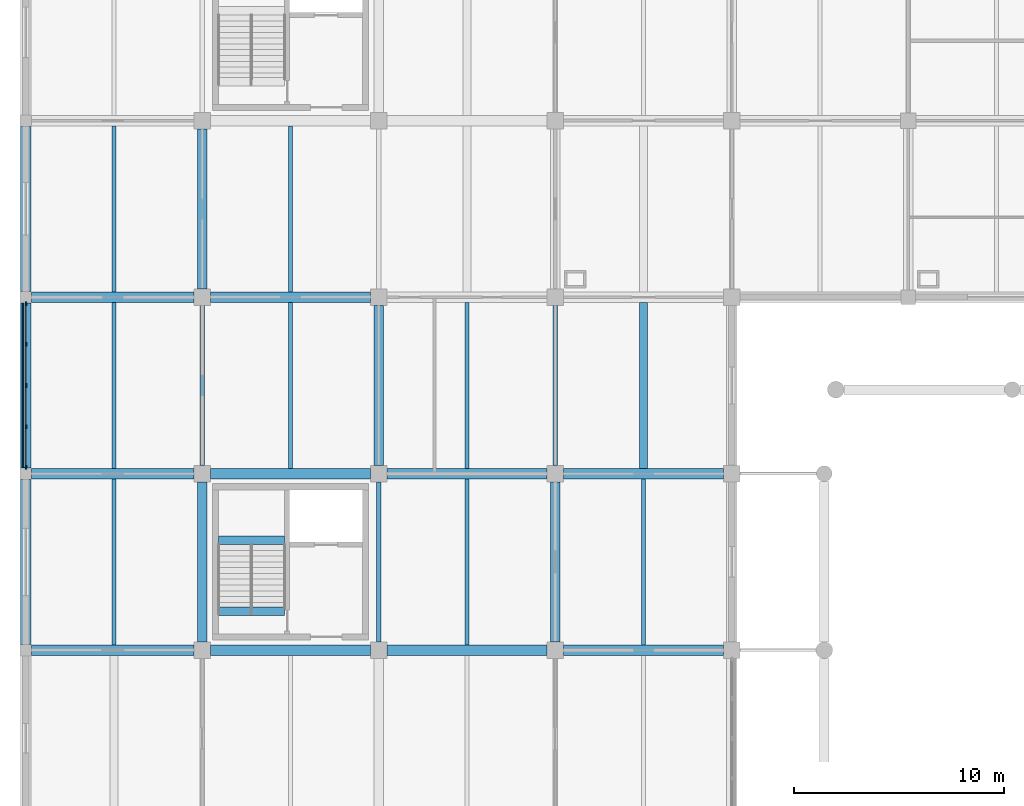
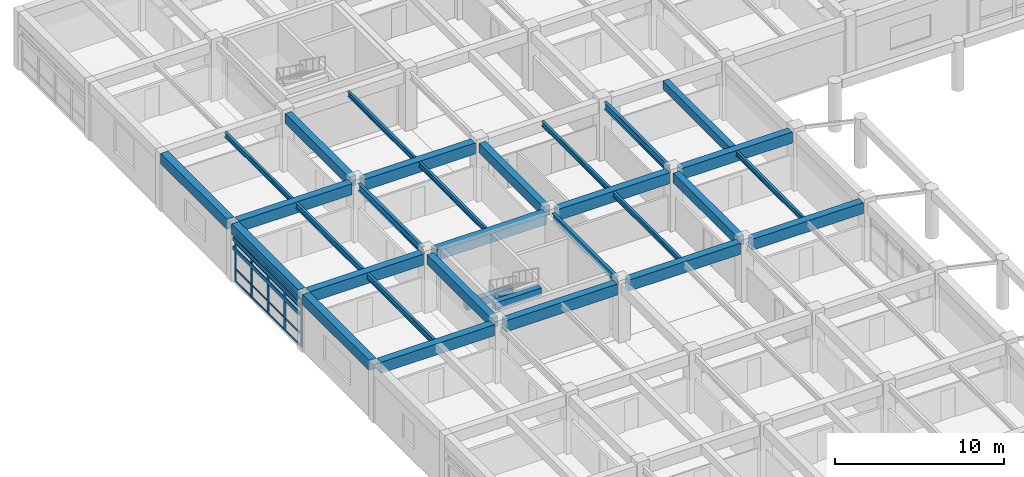
# One storey, part 6 of 99: 31 beams, 23 members, 1 element without a shape of its own.
"""IFC4 building model written with IfcOpenShell, lengths in metres."""

from ifc_helpers import new_model, si_unit, direction, frame, origin, origin_2d, place, context, subcontext, project, spatial, rectangle, i_section, extrude, material, layer, layer_set, material_profile, profile_set, type_object, element, aggregate, save


model = new_model("IFC4")

# Units and contexts
model_context = context("Model", 3, precision=1e-05, world=origin(), true_north=direction((0.0, 1.0)))
body_context = subcontext(model_context, "Body", "Model", "MODEL_VIEW")
ifc_project = project(units=[si_unit("LENGTHUNIT", "METRE"), si_unit("AREAUNIT", "SQUARE_METRE"), si_unit("VOLUMEUNIT", "CUBIC_METRE"), si_unit("PLANEANGLEUNIT", "RADIAN"), si_unit("MASSUNIT", "GRAM", prefix="KILO")], contexts=[model_context])

# Site, building, storey
site_placement = place(None, origin())
site = spatial("IfcSite", under=ifc_project, at=site_placement, CompositionType="ELEMENT")
building_placement = place(site_placement, origin())
building = spatial("IfcBuilding", under=site, at=building_placement, Name="Porcellanite Civic Hall", CompositionType="ELEMENT")
storey_placement = place(building_placement, frame((0.0, 0.0, 5.760009765625)))
storey = spatial("IfcBuildingStorey", under=building, at=storey_placement, Name="L01", CompositionType="ELEMENT", Elevation=5.760009765625)

# Beams
ifc_material_1 = material(Name="Concrete N50 (50 MPa)", Category="concrete")
ifc_material_profile_1 = material_profile(ifc_material_1, rectangle(XDim=0.39990234375, YDim=0.550048828125, at=origin_2d()), Name="RC-400x550")
ifc_profile_set_1 = profile_set([ifc_material_profile_1], Name="Concrete N50 (50 MPa)")
beam_type_1 = type_object("IfcBeamType", Name="BM-RC550", PredefinedType="JOIST", material=ifc_profile_set_1)
for number, where, z_axis, x_axis, name in (
    (1, (9.180419921875, 38.824951171875, 1.885009765625), (1.0, 0.0, 0.0), (0.0, 1.0, 0.0), "Stair landing beam C1 L01"),
    (2, (9.180419921875, 35.449951171875, 3.925048828125), (1.0, 0.0, 0.0), (0.0, 1.0, 0.0), "Stair header beam C1 L01"),
):
    element("IfcBeam", number, at=place(storey_placement, frame(where, z_axis=z_axis, x_axis=x_axis)), inside=storey, type_object=beam_type_1, Name=name, PredefinedType="JOIST", context=body_context, shape_type="SweptSolid", body=[
        extrude(rectangle(XDim=0.39990234375, YDim=0.550048828125, at=origin_2d()), origin(), (0.0, 0.0, 1.0), 3.13916015625),
    ])
ifc_material_2 = material(Name="Concrete N50 (50 MPa)", Category="concrete")
ifc_material_profile_2 = material_profile(ifc_material_2, rectangle(XDim=0.39990234375, YDim=0.60009765625, at=origin_2d()), Name="RC-400x600")
ifc_profile_set_2 = profile_set([ifc_material_profile_2], Name="Concrete N50 (50 MPa)")
beam_type_2 = type_object("IfcBeamType", Name="BM-RC600", PredefinedType="JOIST", material=ifc_profile_set_2)
beam_1_placement = place(storey_placement, frame((29.39990234375, 42.24951171875, 3.89990234375), z_axis=(0.0, 1.0, 0.0), x_axis=(-1.0, 0.0, 0.0)))
element("IfcBeam", 3, at=beam_1_placement, inside=storey, type_object=beam_type_2, Name="Secondary joist L01 4-6", PredefinedType="JOIST", context=body_context, shape_type="SweptSolid", body=[
    extrude(rectangle(XDim=0.39990234375, YDim=0.60009765625, at=origin_2d()), origin(), (0.0, 0.0, 1.0), 7.90087890625),
])
ifc_material_3 = material(Name="Concrete N50 (50 MPa)", Category="concrete")
ifc_material_profile_3 = material_profile(ifc_material_3, rectangle(XDim=0.449951171875, YDim=0.699951171875, at=origin_2d()), Name="RC-450x700")
ifc_profile_set_3 = profile_set([ifc_material_profile_3], Name="Concrete N50 (50 MPa)")
beam_type_3 = type_object("IfcBeamType", Name="BM-RC700", PredefinedType="BEAM", material=ifc_profile_set_3)
beam_2_placement = place(storey_placement, frame((8.39990234375, 33.99951171875, 3.85009765625), z_axis=(0.0, 1.0, 0.0), x_axis=(-1.0, 0.0, 0.0)))
element("IfcBeam", 4, at=beam_2_placement, inside=storey, type_object=beam_type_3, Name="Beam Y L01 2-5", PredefinedType="BEAM", context=body_context, shape_type="SweptSolid", body=[
    extrude(rectangle(XDim=0.449951171875, YDim=0.699951171875, at=origin_2d()), origin(), (0.0, 0.0, 1.0), 7.60107421875),
])
beam_3_placement = place(storey_placement, frame((8.39990234375, 50.799560546875, 3.85009765625), z_axis=(0.0, 1.0, 0.0), x_axis=(-1.0, 0.0, 0.0)))
element("IfcBeam", 5, at=beam_3_placement, inside=storey, type_object=beam_type_3, Name="Beam Y L01 2-7", PredefinedType="BEAM", context=body_context, shape_type="SweptSolid", body=[
    extrude(rectangle(XDim=0.449951171875, YDim=0.699951171875, at=origin_2d()), origin(), (0.0, 0.0, 1.0), 7.600830078125),
])
for number, where, z_axis, x_axis, name in (
    (6, (16.800048828125, 42.3994140625, 3.85009765625), (0.0, 1.0, 0.0), (-1.0, 0.0, 0.0), "Beam Y L01 3-6"),
    (7, (25.199951171875, 33.99951171875, 3.85009765625), (0.0, 1.0, 0.0), (-1.0, 0.0, 0.0), "Beam Y L01 4-5"),
):
    element("IfcBeam", number, at=place(storey_placement, frame(where, z_axis=z_axis, x_axis=x_axis)), inside=storey, type_object=beam_type_3, Name=name, PredefinedType="BEAM", context=body_context, shape_type="SweptSolid", body=[
        extrude(rectangle(XDim=0.449951171875, YDim=0.699951171875, at=origin_2d()), origin(), (0.0, 0.0, 1.0), 7.60107421875),
    ])
ifc_material_4 = material(Name="Concrete N50 (50 MPa)", Category="concrete")
ifc_material_profile_4 = material_profile(ifc_material_4, rectangle(XDim=0.5, YDim=0.75, at=origin_2d()), Name="RC-500x750")
ifc_profile_set_4 = profile_set([ifc_material_profile_4], Name="Concrete N50 (50 MPa)")
beam_type_4 = type_object("IfcBeamType", Name="BM-RC750", PredefinedType="SPANDREL", material=ifc_profile_set_4)
for number, where, z_axis, x_axis, name in (
    (8, (0.0, 33.87451171875, 3.824951171875), (0.0, 1.0, 0.0), (-1.0, 0.0, 0.0), "Beam Y L01 1-5"),
    (9, (0.0, 42.2744140625, 3.824951171875), (0.0, 1.0, 0.0), (-1.0, 0.0, 0.0), "Beam Y L01 1-6"),
):
    element("IfcBeam", number, at=place(storey_placement, frame(where, z_axis=z_axis, x_axis=x_axis)), inside=storey, type_object=beam_type_4, Name=name, PredefinedType="SPANDREL", context=body_context, shape_type="SweptSolid", body=[
        extrude(rectangle(XDim=0.5, YDim=0.75, at=origin_2d()), origin(), (0.0, 0.0, 1.0), 7.85107421875),
    ])
beam_4_placement = place(storey_placement, frame((0.0, 50.674560546875, 3.824951171875), z_axis=(0.0, 1.0, 0.0), x_axis=(-1.0, 0.0, 0.0)))
element("IfcBeam", 10, at=beam_4_placement, inside=storey, type_object=beam_type_4, Name="Beam Y L01 1-7", PredefinedType="SPANDREL", context=body_context, shape_type="SweptSolid", body=[
    extrude(rectangle(XDim=0.5, YDim=0.75, at=origin_2d()), origin(), (0.0, 0.0, 1.0), 7.850830078125),
])
ifc_material_5 = material(Name="Concrete N50 (50 MPa)", Category="concrete")
ifc_material_profile_5 = material_profile(ifc_material_5, rectangle(XDim=0.5, YDim=0.800048828125, at=origin_2d()), Name="RC-500x800")
ifc_profile_set_5 = profile_set([ifc_material_profile_5], Name="Concrete N50 (50 MPa)")
beam_type_5 = type_object("IfcBeamType", Name="BM-RC800", PredefinedType="BEAM", material=ifc_profile_set_5)
for number, where, z_axis, x_axis, name in (
    (11, (0.2744140625, 33.60009765625, 3.800048828125), (1.0, 0.0, 0.0), (0.0, 1.0, 0.0), "Beam X L01 1-5"),
    (12, (0.2744140625, 42.0, 3.800048828125), (1.0, 0.0, 0.0), (0.0, 1.0, 0.0), "Beam X L01 1-6"),
    (13, (0.2744140625, 50.39990234375, 3.800048828125), (1.0, 0.0, 0.0), (0.0, 1.0, 0.0), "Beam X L01 1-7"),
):
    element("IfcBeam", number, at=place(storey_placement, frame(where, z_axis=z_axis, x_axis=x_axis)), inside=storey, type_object=beam_type_5, Name=name, PredefinedType="BEAM", context=body_context, shape_type="SweptSolid", body=[
        extrude(rectangle(XDim=0.5, YDim=0.800048828125, at=origin_2d()), origin(), (0.0, 0.0, 1.0), 7.72607421875),
    ])
for number, where, z_axis, x_axis, name in (
    (14, (8.799560546875, 33.60009765625, 3.800048828125), (1.0, 0.0, 0.0), (0.0, 1.0, 0.0), "Beam X L01 2-5"),
    (15, (8.799560546875, 42.0, 3.800048828125), (1.0, 0.0, 0.0), (0.0, 1.0, 0.0), "Beam X L01 2-6"),
    (16, (8.799560546875, 50.39990234375, 3.800048828125), (1.0, 0.0, 0.0), (0.0, 1.0, 0.0), "Beam X L01 2-7"),
):
    element("IfcBeam", number, at=place(storey_placement, frame(where, z_axis=z_axis, x_axis=x_axis)), inside=storey, type_object=beam_type_5, Name=name, PredefinedType="BEAM", context=body_context, shape_type="SweptSolid", body=[
        extrude(rectangle(XDim=0.5, YDim=0.800048828125, at=origin_2d()), origin(), (0.0, 0.0, 1.0), 7.600830078125),
    ])
for number, where, z_axis, x_axis, name in (
    (17, (17.199462890625, 33.60009765625, 3.800048828125), (1.0, 0.0, 0.0), (0.0, 1.0, 0.0), "Beam X L01 3-5"),
    (18, (17.199462890625, 42.0, 3.800048828125), (1.0, 0.0, 0.0), (0.0, 1.0, 0.0), "Beam X L01 3-6"),
):
    element("IfcBeam", number, at=place(storey_placement, frame(where, z_axis=z_axis, x_axis=x_axis)), inside=storey, type_object=beam_type_5, Name=name, PredefinedType="BEAM", context=body_context, shape_type="SweptSolid", body=[
        extrude(rectangle(XDim=0.5, YDim=0.800048828125, at=origin_2d()), origin(), (0.0, 0.0, 1.0), 7.60107421875),
    ])
for number, where, z_axis, x_axis, name in (
    (19, (25.599609375, 33.60009765625, 3.800048828125), (1.0, 0.0, 0.0), (0.0, 1.0, 0.0), "Beam X L01 4-5"),
    (20, (25.599609375, 42.0, 3.800048828125), (1.0, 0.0, 0.0), (0.0, 1.0, 0.0), "Beam X L01 4-6"),
):
    element("IfcBeam", number, at=place(storey_placement, frame(where, z_axis=z_axis, x_axis=x_axis)), inside=storey, type_object=beam_type_5, Name=name, PredefinedType="BEAM", context=body_context, shape_type="SweptSolid", body=[
        extrude(rectangle(XDim=0.5, YDim=0.800048828125, at=origin_2d()), origin(), (0.0, 0.0, 1.0), 7.600830078125),
    ])

# Curtain wall, members
ifc_material_6 = material(Name="Anodised aluminium and solar laminated glass", Category="aluminium")
ifc_layer = layer(ifc_material_6, 0.179931640625)
ifc_layer_set = layer_set([ifc_layer], Name="Anodised aluminium and solar laminated glass")
curtain_wall_type = type_object("IfcCurtainWallType", Name="CW-SYS05", PredefinedType="NOTDEFINED", material=ifc_layer_set)
curtain_wall_placement = place(storey_placement, origin())
curtain_wall = element("IfcCurtainWall", 21, at=curtain_wall_placement, inside=storey, type_object=curtain_wall_type, Name="Curtain wall CW-062", PredefinedType="NOTDEFINED")
ifc_material_7 = material(Name="Anodised aluminium 6063-T6", Category="aluminium")
ifc_material_profile_6 = material_profile(ifc_material_7, rectangle(XDim=0.070068359375, YDim=0.199951171875, at=origin_2d()), Name="AL-70x200")
ifc_profile_set_6 = profile_set([ifc_material_profile_6], Name="Anodised aluminium 6063-T6")
member_type_1 = type_object("IfcMemberType", Name="CWM-05", PredefinedType="MULLION", material=ifc_profile_set_6)
member_1_placement = place(storey_placement, frame((0.0, 42.31103515625, 0.0), z_axis=(0.0, 0.0, 1.0), x_axis=(-1.0, 0.0, 0.0)))
member_1 = element("IfcMember", 22, at=member_1_placement, type_object=member_type_1, Name="CW-062 mullion 1", PredefinedType="MULLION", context=body_context, shape_type="SweptSolid", body=[
    extrude(rectangle(XDim=0.070068359375, YDim=0.199951171875, at=origin_2d()), origin(), (0.0, 0.0, 1.0), 3.39990234375),
])
member_2_placement = place(storey_placement, frame((0.0, 44.238037109375, 0.0), z_axis=(0.0, 0.0, 1.0), x_axis=(-1.0, 0.0, 0.0)))
member_2 = element("IfcMember", 23, at=member_2_placement, type_object=member_type_1, Name="CW-062 mullion 2", PredefinedType="MULLION", context=body_context, shape_type="SweptSolid", body=[
    extrude(rectangle(XDim=0.070068359375, YDim=0.199951171875, at=origin_2d()), origin(), (0.0, 0.0, 1.0), 3.39990234375),
])
member_3_placement = place(storey_placement, frame((0.0, 46.199951171875, 0.0), z_axis=(0.0, 0.0, 1.0), x_axis=(-1.0, 0.0, 0.0)))
member_3 = element("IfcMember", 24, at=member_3_placement, type_object=member_type_1, Name="CW-062 mullion 3", PredefinedType="MULLION", context=body_context, shape_type="SweptSolid", body=[
    extrude(rectangle(XDim=0.070068359375, YDim=0.199951171875, at=origin_2d()), origin(), (0.0, 0.0, 1.0), 3.39990234375),
])
member_4_placement = place(storey_placement, frame((0.0, 48.162109375, 0.0), z_axis=(0.0, 0.0, 1.0), x_axis=(-1.0, 0.0, 0.0)))
member_4 = element("IfcMember", 25, at=member_4_placement, type_object=member_type_1, Name="CW-062 mullion 4", PredefinedType="MULLION", context=body_context, shape_type="SweptSolid", body=[
    extrude(rectangle(XDim=0.070068359375, YDim=0.199951171875, at=origin_2d()), origin(), (0.0, 0.0, 1.0), 3.39990234375),
])
member_5_placement = place(storey_placement, frame((0.0, 50.089111328125, 0.0), z_axis=(0.0, 0.0, 1.0), x_axis=(-1.0, 0.0, 0.0)))
member_5 = element("IfcMember", 26, at=member_5_placement, type_object=member_type_1, Name="CW-062 mullion 5", PredefinedType="MULLION", context=body_context, shape_type="SweptSolid", body=[
    extrude(rectangle(XDim=0.070068359375, YDim=0.199951171875, at=origin_2d()), origin(), (0.0, 0.0, 1.0), 3.39990234375),
])
ifc_material_8 = material(Name="Anodised aluminium 6063-T6", Category="aluminium")
ifc_material_profile_7 = material_profile(ifc_material_8, rectangle(XDim=0.06005859375, YDim=0.1298828125, at=origin_2d()), Name="AL-60x130")
ifc_profile_set_7 = profile_set([ifc_material_profile_7], Name="Anodised aluminium 6063-T6")
member_type_2 = type_object("IfcMemberType", Name="CWT-03", PredefinedType="USERDEFINED", material=ifc_profile_set_7)
member_6_placement = place(storey_placement, frame((0.0, 42.345947265625, 0.030029296875), z_axis=(0.0, 1.0, 0.0), x_axis=(-1.0, 0.0, 0.0)))
member_6 = element("IfcMember", 27, at=member_6_placement, type_object=member_type_2, Name="CW-062 transom 1.1", ObjectType="TRANSOM", PredefinedType="USERDEFINED", context=body_context, shape_type="SweptSolid", body=[
    extrude(rectangle(XDim=0.06005859375, YDim=0.1298828125, at=origin_2d()), origin(), (0.0, 0.0, 1.0), 1.85693359375),
])
member_7_placement = place(storey_placement, frame((0.0, 42.345947265625, 0.89990234375), z_axis=(0.0, 1.0, 0.0), x_axis=(-1.0, 0.0, 0.0)))
member_7 = element("IfcMember", 28, at=member_7_placement, type_object=member_type_2, Name="CW-062 transom 1.2", ObjectType="TRANSOM", PredefinedType="USERDEFINED", context=body_context, shape_type="SweptSolid", body=[
    extrude(rectangle(XDim=0.06005859375, YDim=0.1298828125, at=origin_2d()), origin(), (0.0, 0.0, 1.0), 1.85693359375),
])
member_8_placement = place(storey_placement, frame((0.0, 42.345947265625, 2.75), z_axis=(0.0, 1.0, 0.0), x_axis=(-1.0, 0.0, 0.0)))
member_8 = element("IfcMember", 29, at=member_8_placement, type_object=member_type_2, Name="CW-062 transom 1.3", ObjectType="TRANSOM", PredefinedType="USERDEFINED", context=body_context, shape_type="SweptSolid", body=[
    extrude(rectangle(XDim=0.06005859375, YDim=0.1298828125, at=origin_2d()), origin(), (0.0, 0.0, 1.0), 1.85693359375),
])
member_9_placement = place(storey_placement, frame((0.0, 42.345947265625, 3.369873046875), z_axis=(0.0, 1.0, 0.0), x_axis=(-1.0, 0.0, 0.0)))
member_9 = element("IfcMember", 30, at=member_9_placement, type_object=member_type_2, Name="CW-062 transom 1.4", ObjectType="TRANSOM", PredefinedType="USERDEFINED", context=body_context, shape_type="SweptSolid", body=[
    extrude(rectangle(XDim=0.06005859375, YDim=0.1298828125, at=origin_2d()), origin(), (0.0, 0.0, 1.0), 1.85693359375),
])
member_10_placement = place(storey_placement, frame((0.0, 44.27294921875, 0.030029296875), z_axis=(0.0, 1.0, 0.0), x_axis=(-1.0, 0.0, 0.0)))
member_10 = element("IfcMember", 31, at=member_10_placement, type_object=member_type_2, Name="CW-062 transom 2.1", ObjectType="TRANSOM", PredefinedType="USERDEFINED", context=body_context, shape_type="SweptSolid", body=[
    extrude(rectangle(XDim=0.06005859375, YDim=0.1298828125, at=origin_2d()), origin(), (0.0, 0.0, 1.0), 1.89208984375),
])
member_11_placement = place(storey_placement, frame((0.0, 44.27294921875, 0.89990234375), z_axis=(0.0, 1.0, 0.0), x_axis=(-1.0, 0.0, 0.0)))
member_11 = element("IfcMember", 32, at=member_11_placement, type_object=member_type_2, Name="CW-062 transom 2.2", ObjectType="TRANSOM", PredefinedType="USERDEFINED", context=body_context, shape_type="SweptSolid", body=[
    extrude(rectangle(XDim=0.06005859375, YDim=0.1298828125, at=origin_2d()), origin(), (0.0, 0.0, 1.0), 1.89208984375),
])
member_12_placement = place(storey_placement, frame((0.0, 44.27294921875, 2.75), z_axis=(0.0, 1.0, 0.0), x_axis=(-1.0, 0.0, 0.0)))
member_12 = element("IfcMember", 33, at=member_12_placement, type_object=member_type_2, Name="CW-062 transom 2.3", ObjectType="TRANSOM", PredefinedType="USERDEFINED", context=body_context, shape_type="SweptSolid", body=[
    extrude(rectangle(XDim=0.06005859375, YDim=0.1298828125, at=origin_2d()), origin(), (0.0, 0.0, 1.0), 1.89208984375),
])
member_13_placement = place(storey_placement, frame((0.0, 44.27294921875, 3.369873046875), z_axis=(0.0, 1.0, 0.0), x_axis=(-1.0, 0.0, 0.0)))
member_13 = element("IfcMember", 34, at=member_13_placement, type_object=member_type_2, Name="CW-062 transom 2.4", ObjectType="TRANSOM", PredefinedType="USERDEFINED", context=body_context, shape_type="SweptSolid", body=[
    extrude(rectangle(XDim=0.06005859375, YDim=0.1298828125, at=origin_2d()), origin(), (0.0, 0.0, 1.0), 1.89208984375),
])
member_14_placement = place(storey_placement, frame((0.0, 46.235107421875, 0.030029296875), z_axis=(0.0, 1.0, 0.0), x_axis=(-1.0, 0.0, 0.0)))
member_14 = element("IfcMember", 35, at=member_14_placement, type_object=member_type_2, Name="CW-062 transom 3.1", ObjectType="TRANSOM", PredefinedType="USERDEFINED", context=body_context, shape_type="SweptSolid", body=[
    extrude(rectangle(XDim=0.06005859375, YDim=0.1298828125, at=origin_2d()), origin(), (0.0, 0.0, 1.0), 1.891845703125),
])
member_15_placement = place(storey_placement, frame((0.0, 46.235107421875, 0.89990234375), z_axis=(0.0, 1.0, 0.0), x_axis=(-1.0, 0.0, 0.0)))
member_15 = element("IfcMember", 36, at=member_15_placement, type_object=member_type_2, Name="CW-062 transom 3.2", ObjectType="TRANSOM", PredefinedType="USERDEFINED", context=body_context, shape_type="SweptSolid", body=[
    extrude(rectangle(XDim=0.06005859375, YDim=0.1298828125, at=origin_2d()), origin(), (0.0, 0.0, 1.0), 1.891845703125),
])
member_16_placement = place(storey_placement, frame((0.0, 46.235107421875, 2.75), z_axis=(0.0, 1.0, 0.0), x_axis=(-1.0, 0.0, 0.0)))
member_16 = element("IfcMember", 37, at=member_16_placement, type_object=member_type_2, Name="CW-062 transom 3.3", ObjectType="TRANSOM", PredefinedType="USERDEFINED", context=body_context, shape_type="SweptSolid", body=[
    extrude(rectangle(XDim=0.06005859375, YDim=0.1298828125, at=origin_2d()), origin(), (0.0, 0.0, 1.0), 1.891845703125),
])
member_17_placement = place(storey_placement, frame((0.0, 46.235107421875, 3.369873046875), z_axis=(0.0, 1.0, 0.0), x_axis=(-1.0, 0.0, 0.0)))
member_17 = element("IfcMember", 38, at=member_17_placement, type_object=member_type_2, Name="CW-062 transom 3.4", ObjectType="TRANSOM", PredefinedType="USERDEFINED", context=body_context, shape_type="SweptSolid", body=[
    extrude(rectangle(XDim=0.06005859375, YDim=0.1298828125, at=origin_2d()), origin(), (0.0, 0.0, 1.0), 1.891845703125),
])
member_18_placement = place(storey_placement, frame((0.0, 48.197021484375, 0.030029296875), z_axis=(0.0, 1.0, 0.0), x_axis=(-1.0, 0.0, 0.0)))
member_18 = element("IfcMember", 39, at=member_18_placement, type_object=member_type_2, Name="CW-062 transom 4.1", ObjectType="TRANSOM", PredefinedType="USERDEFINED", context=body_context, shape_type="SweptSolid", body=[
    extrude(rectangle(XDim=0.06005859375, YDim=0.1298828125, at=origin_2d()), origin(), (0.0, 0.0, 1.0), 1.85693359375),
])
member_19_placement = place(storey_placement, frame((0.0, 48.197021484375, 0.89990234375), z_axis=(0.0, 1.0, 0.0), x_axis=(-1.0, 0.0, 0.0)))
member_19 = element("IfcMember", 40, at=member_19_placement, type_object=member_type_2, Name="CW-062 transom 4.2", ObjectType="TRANSOM", PredefinedType="USERDEFINED", context=body_context, shape_type="SweptSolid", body=[
    extrude(rectangle(XDim=0.06005859375, YDim=0.1298828125, at=origin_2d()), origin(), (0.0, 0.0, 1.0), 1.85693359375),
])
member_20_placement = place(storey_placement, frame((0.0, 48.197021484375, 2.75), z_axis=(0.0, 1.0, 0.0), x_axis=(-1.0, 0.0, 0.0)))
member_20 = element("IfcMember", 41, at=member_20_placement, type_object=member_type_2, Name="CW-062 transom 4.3", ObjectType="TRANSOM", PredefinedType="USERDEFINED", context=body_context, shape_type="SweptSolid", body=[
    extrude(rectangle(XDim=0.06005859375, YDim=0.1298828125, at=origin_2d()), origin(), (0.0, 0.0, 1.0), 1.85693359375),
])
member_21_placement = place(storey_placement, frame((0.0, 48.197021484375, 3.369873046875), z_axis=(0.0, 1.0, 0.0), x_axis=(-1.0, 0.0, 0.0)))
member_21 = element("IfcMember", 42, at=member_21_placement, type_object=member_type_2, Name="CW-062 transom 4.4", ObjectType="TRANSOM", PredefinedType="USERDEFINED", context=body_context, shape_type="SweptSolid", body=[
    extrude(rectangle(XDim=0.06005859375, YDim=0.1298828125, at=origin_2d()), origin(), (0.0, 0.0, 1.0), 1.85693359375),
])
aggregate(curtain_wall, [member_1, member_2, member_3, member_4, member_5, member_6, member_7, member_8, member_9, member_10, member_11, member_12, member_13, member_14, member_15, member_16, member_17, member_18, member_19, member_20, member_21])

# Beams
ifc_material_9 = material(Name="Steel Grade 350", Category="steel")
ifc_material_profile_8 = material_profile(ifc_material_9, i_section(OverallWidth=0.1708984375, OverallDepth=0.35595703125, WebThickness=0.00732421875, FlangeThickness=0.011474609375, FilletRadius=0.011474609375, at=origin_2d()), Name="360UB50.7")
ifc_profile_set_8 = profile_set([ifc_material_profile_8], Name="Steel Grade 350")
beam_type_6 = type_object("IfcBeamType", Name="JST-360UB51", PredefinedType="JOIST", material=ifc_profile_set_8)
beam_5_placement = place(storey_placement, frame((12.60009765625, 50.6494140625, 4.02197265625), z_axis=(0.0, 1.0, 0.0), x_axis=(-1.0, 0.0, 0.0)))
element("IfcBeam", 43, at=beam_5_placement, inside=storey, type_object=beam_type_6, Name="Secondary joist L01 2-7", PredefinedType="JOIST", context=body_context, shape_type="SweptSolid", body=[
    extrude(i_section(OverallWidth=0.1708984375, OverallDepth=0.35595703125, WebThickness=0.00732421875, FlangeThickness=0.011474609375, FilletRadius=0.011474609375, at=origin_2d()), origin(), (0.0, 0.0, 1.0), 7.901123046875),
])
for number, where, z_axis, x_axis, name in (
    (44, (21.0, 42.24951171875, 4.02197265625), (0.0, 1.0, 0.0), (-1.0, 0.0, 0.0), "Secondary joist L01 3-6"),
    (45, (29.39990234375, 33.849609375, 4.02197265625), (0.0, 1.0, 0.0), (-1.0, 0.0, 0.0), "Secondary joist L01 4-5"),
):
    element("IfcBeam", number, at=place(storey_placement, frame(where, z_axis=z_axis, x_axis=x_axis)), inside=storey, type_object=beam_type_6, Name=name, PredefinedType="JOIST", context=body_context, shape_type="SweptSolid", body=[
        extrude(i_section(OverallWidth=0.1708984375, OverallDepth=0.35595703125, WebThickness=0.00732421875, FlangeThickness=0.011474609375, FilletRadius=0.011474609375, at=origin_2d()), origin(), (0.0, 0.0, 1.0), 7.90087890625),
    ])
ifc_material_10 = material(Name="Steel Grade 350", Category="steel")
ifc_material_profile_9 = material_profile(ifc_material_10, i_section(OverallWidth=0.172119140625, OverallDepth=0.35888671875, WebThickness=0.008056640625, FlangeThickness=0.012939453125, FilletRadius=0.011474609375, at=origin_2d()), Name="360UB56.7")
ifc_profile_set_9 = profile_set([ifc_material_profile_9], Name="Steel Grade 350")
beam_type_7 = type_object("IfcBeamType", Name="JST-360UB57", PredefinedType="JOIST", material=ifc_profile_set_9)
beam_6_placement = place(storey_placement, frame((4.199951171875, 50.6494140625, 4.0205078125), z_axis=(0.0, 1.0, 0.0), x_axis=(-1.0, 0.0, 0.0)))
element("IfcBeam", 46, at=beam_6_placement, inside=storey, type_object=beam_type_7, Name="Secondary joist L01 1-7", PredefinedType="JOIST", context=body_context, shape_type="SweptSolid", body=[
    extrude(i_section(OverallWidth=0.172119140625, OverallDepth=0.35888671875, WebThickness=0.008056640625, FlangeThickness=0.012939453125, FilletRadius=0.011474609375, at=origin_2d()), origin(), (0.0, 0.0, 1.0), 7.901123046875),
])
for number, where, z_axis, x_axis, name in (
    (47, (12.60009765625, 42.24951171875, 4.0205078125), (0.0, 1.0, 0.0), (-1.0, 0.0, 0.0), "Secondary joist L01 2-6"),
    (48, (21.0, 33.849609375, 4.0205078125), (0.0, 1.0, 0.0), (-1.0, 0.0, 0.0), "Secondary joist L01 3-5"),
):
    element("IfcBeam", number, at=place(storey_placement, frame(where, z_axis=z_axis, x_axis=x_axis)), inside=storey, type_object=beam_type_7, Name=name, PredefinedType="JOIST", context=body_context, shape_type="SweptSolid", body=[
        extrude(i_section(OverallWidth=0.172119140625, OverallDepth=0.35888671875, WebThickness=0.008056640625, FlangeThickness=0.012939453125, FilletRadius=0.011474609375, at=origin_2d()), origin(), (0.0, 0.0, 1.0), 7.90087890625),
    ])
ifc_material_11 = material(Name="Steel Grade 350", Category="steel")
ifc_material_profile_10 = material_profile(ifc_material_11, i_section(OverallWidth=0.177978515625, OverallDepth=0.403076171875, WebThickness=0.007568359375, FlangeThickness=0.010986328125, FilletRadius=0.011474609375, at=origin_2d()), Name="410UB53.7")
ifc_profile_set_10 = profile_set([ifc_material_profile_10], Name="Steel Grade 350")
beam_type_8 = type_object("IfcBeamType", Name="JST-410UB54", PredefinedType="JOIST", material=ifc_profile_set_10)
beam_7_placement = place(storey_placement, frame((4.199951171875, 42.24951171875, 3.99853515625), z_axis=(0.0, 1.0, 0.0), x_axis=(-1.0, 0.0, 0.0)))
element("IfcBeam", 49, at=beam_7_placement, inside=storey, type_object=beam_type_8, Name="Secondary joist L01 1-6", PredefinedType="JOIST", context=body_context, shape_type="SweptSolid", body=[
    extrude(i_section(OverallWidth=0.177978515625, OverallDepth=0.403076171875, WebThickness=0.007568359375, FlangeThickness=0.010986328125, FilletRadius=0.011474609375, at=origin_2d()), origin(), (0.0, 0.0, 1.0), 7.90087890625),
])
ifc_material_12 = material(Name="Steel Grade 350", Category="steel")
ifc_material_profile_11 = material_profile(ifc_material_12, i_section(OverallWidth=0.177978515625, OverallDepth=0.406005859375, WebThickness=0.0078125, FlangeThickness=0.0126953125, FilletRadius=0.011474609375, at=origin_2d()), Name="410UB59.7")
ifc_profile_set_11 = profile_set([ifc_material_profile_11], Name="Steel Grade 350")
beam_type_9 = type_object("IfcBeamType", Name="JST-410UB60", PredefinedType="JOIST", material=ifc_profile_set_11)
beam_8_placement = place(storey_placement, frame((4.199951171875, 33.849609375, 3.9970703125), z_axis=(0.0, 1.0, 0.0), x_axis=(-1.0, 0.0, 0.0)))
element("IfcBeam", 50, at=beam_8_placement, inside=storey, type_object=beam_type_9, Name="Secondary joist L01 1-5", PredefinedType="JOIST", context=body_context, shape_type="SweptSolid", body=[
    extrude(i_section(OverallWidth=0.177978515625, OverallDepth=0.406005859375, WebThickness=0.0078125, FlangeThickness=0.0126953125, FilletRadius=0.011474609375, at=origin_2d()), origin(), (0.0, 0.0, 1.0), 7.90087890625),
])

# Members
ifc_material_13 = material(Name="Fluoropolymer bauxite-red aluminium 6063-T6", Category="aluminium")
ifc_material_profile_12 = material_profile(ifc_material_13, rectangle(XDim=0.070068359375, YDim=0.280029296875, at=origin_2d()), Name="AL-70x280")
ifc_profile_set_12 = profile_set([ifc_material_profile_12], Name="Fluoropolymer bauxite-red aluminium 6063-T6")
member_type_3 = type_object("IfcMemberType", Name="LV-BLD05", PredefinedType="USERDEFINED", material=ifc_profile_set_12)
for number, where, z_axis, x_axis, name in (
    (51, (-0.136962890625, 42.2744140625, 3.10009765625), (0.0, 1.0, 0.0), (-1.0, 0.0, 0.0), "Cyclone sunshade louvre L01 W 0-5 1"),
    (52, (-0.136962890625, 42.2744140625, 2.449951171875), (0.0, 1.0, 0.0), (-1.0, 0.0, 0.0), "Cyclone sunshade louvre L01 W 0-5 2"),
):
    element("IfcMember", number, at=place(storey_placement, frame(where, z_axis=z_axis, x_axis=x_axis)), inside=storey, type_object=member_type_3, Name=name, ObjectType="LOUVRE BLADE", PredefinedType="USERDEFINED", context=body_context, shape_type="SweptSolid", body=[
        extrude(rectangle(XDim=0.070068359375, YDim=0.280029296875, at=origin_2d()), origin(), (0.0, 0.0, 1.0), 7.85107421875),
    ])

# Beams
ifc_material_14 = material(Name="Steel Grade 350", Category="steel")
ifc_material_profile_13 = material_profile(ifc_material_14, i_section(OverallWidth=0.208984375, OverallDepth=0.528076171875, WebThickness=0.009521484375, FlangeThickness=0.01318359375, FilletRadius=0.013916015625, at=origin_2d()), Name="530UB82.0")
ifc_profile_set_13 = profile_set([ifc_material_profile_13], Name="Steel Grade 350")
beam_type_10 = type_object("IfcBeamType", Name="RAF-530UB82", PredefinedType="BEAM", material=ifc_profile_set_13)
for number, where, z_axis, x_axis, name in (
    (53, (8.39990234375, 42.3994140625, 3.93603515625), (0.0, 1.0, 0.0), (-1.0, 0.0, 0.0), "Beam Y L01 2-6"),
    (54, (16.800048828125, 33.99951171875, 3.93603515625), (0.0, 1.0, 0.0), (-1.0, 0.0, 0.0), "Beam Y L01 3-5"),
    (55, (25.199951171875, 42.3994140625, 3.93603515625), (0.0, 1.0, 0.0), (-1.0, 0.0, 0.0), "Beam Y L01 4-6"),
):
    element("IfcBeam", number, at=place(storey_placement, frame(where, z_axis=z_axis, x_axis=x_axis)), inside=storey, type_object=beam_type_10, Name=name, PredefinedType="BEAM", context=body_context, shape_type="SweptSolid", body=[
        extrude(i_section(OverallWidth=0.208984375, OverallDepth=0.528076171875, WebThickness=0.009521484375, FlangeThickness=0.01318359375, FilletRadius=0.013916015625, at=origin_2d()), origin(), (0.0, 0.0, 1.0), 7.60107421875),
    ])

save(model, "model.ifc")
